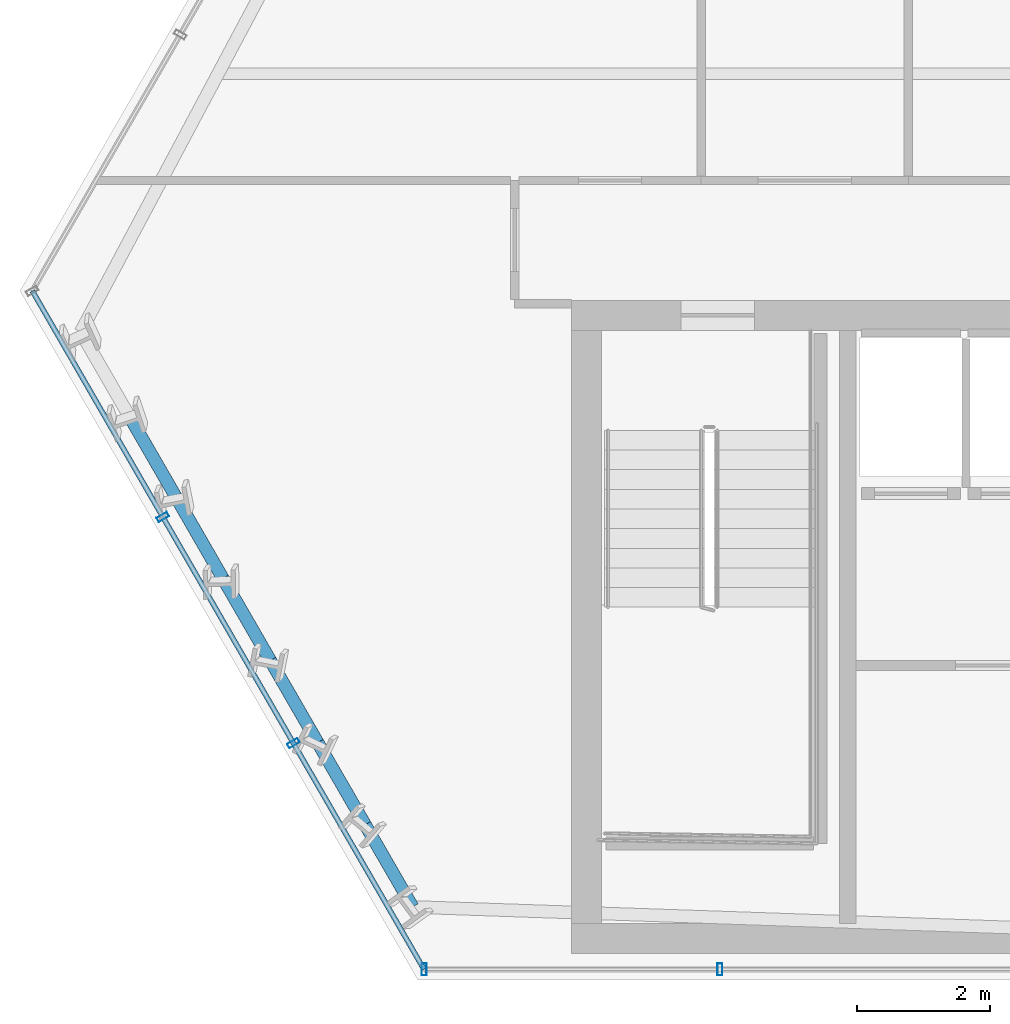
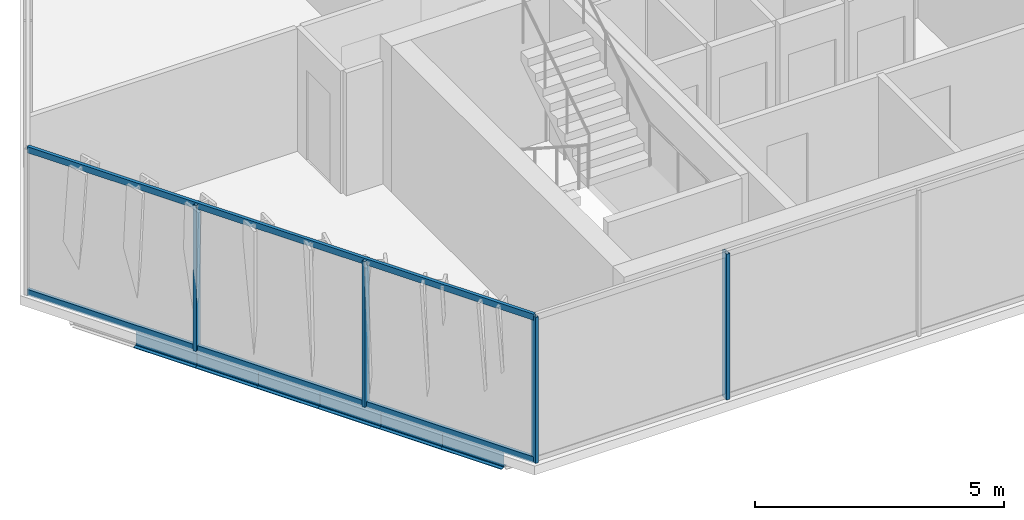
# One storey, part 2 of 31: 6 beams, 6 members, 2 elements without a shape of their own.
"""IFC4 building model written with IfcOpenShell, lengths in metres."""

from ifc_helpers import new_model, si_unit, direction, frame, origin, origin_2d, place, context, subcontext, project, spatial, hollow_rectangle, i_section, extrude, material, layer, layer_set, material_profile, profile_set, type_object, element, aggregate, save


model = new_model("IFC4")

# Units and contexts
model_context = context("Model", 3, precision=1e-05, world=origin(), true_north=direction((0.0, 1.0)))
body_context = subcontext(model_context, "Body", "Model", "MODEL_VIEW")
ifc_project = project(units=[si_unit("LENGTHUNIT", "METRE"), si_unit("AREAUNIT", "SQUARE_METRE"), si_unit("VOLUMEUNIT", "CUBIC_METRE"), si_unit("PLANEANGLEUNIT", "RADIAN"), si_unit("MASSUNIT", "GRAM", prefix="KILO")], contexts=[model_context])

# Site, building, storey
site_placement = place(None, origin())
site = spatial("IfcSite", under=ifc_project, at=site_placement, CompositionType="ELEMENT")
building_placement = place(site_placement, origin())
building = spatial("IfcBuilding", under=site, at=building_placement, Name="Ndaravel Arena Tower", CompositionType="ELEMENT")
storey_placement = place(building_placement, frame((0.0, 0.0, 146.0)))
storey = spatial("IfcBuildingStorey", under=building, at=storey_placement, Name="L34", CompositionType="ELEMENT", Elevation=146.0)

# Beams
ifc_material_1 = material(Name="Steel S355", Category="steel")
ifc_material_profile_1 = material_profile(ifc_material_1, i_section(OverallWidth=0.18994140625, OverallDepth=0.449951171875, WebThickness=0.009521484375, FlangeThickness=0.0146484375, FilletRadius=0.02099609375, at=origin_2d()), Name="IPE 450")
ifc_profile_set_1 = profile_set([ifc_material_profile_1], Name="Steel S355")
beam_type = type_object("IfcBeamType", Name="BM-SPAN-IPE450", PredefinedType="SPANDREL", material=ifc_profile_set_1)
for number, where, z_axis, x_axis, name in (
    (1, (19.797607421875, 13.493896484375, -0.445068359375), (0.500049018998, -0.865997100803, 0.0), (0.865997100803, 0.500049018998, 0.0), "L34 Perimeter Spandrel Beam SP-21"),
    (2, (20.509521484375, 12.260986328125, -0.445068359375), (0.499920397431, -0.866071357471, 0.0), (0.866071357471, 0.499920397431, 0.0), "L34 Perimeter Spandrel Beam SP-22"),
    (3, (21.22119140625, 11.028076171875, -0.445068359375), (0.500049018998, -0.865997100803, 0.0), (0.865997100803, 0.500049018998, 0.0), "L34 Perimeter Spandrel Beam SP-23"),
    (4, (21.93310546875, 9.795166015625, -0.445068359375), (0.500049018998, -0.865997100803, 0.0), (0.865997100803, 0.500049018998, 0.0), "L34 Perimeter Spandrel Beam SP-24"),
    (5, (22.64501953125, 8.562255859375, -0.445068359375), (0.499920397431, -0.866071357471, 0.0), (0.866071357471, 0.499920397431, 0.0), "L34 Perimeter Spandrel Beam SP-25"),
    (6, (23.356689453125, 7.329345703125, -0.445068359375), (0.500049018998, -0.865997100803, 0.0), (0.865997100803, 0.500049018998, 0.0), "L34 Perimeter Spandrel Beam SP-26"),
):
    element("IfcBeam", number, at=place(storey_placement, frame(where, z_axis=z_axis, x_axis=x_axis)), inside=storey, type_object=beam_type, Name=name, PredefinedType="SPANDREL", context=body_context, shape_type="SweptSolid", body=[
        extrude(i_section(OverallWidth=0.18994140625, OverallDepth=0.449951171875, WebThickness=0.009521484375, FlangeThickness=0.0146484375, FilletRadius=0.02099609375, at=origin_2d()), origin(), (0.0, 0.0, 1.0), 1.423583984375),
    ])

# Curtain wall, members
ifc_material_2 = material(Name="Aluminium", Category="aluminium")
ifc_layer_1 = layer(ifc_material_2, 0.179931640625)
ifc_layer_set_1 = layer_set([ifc_layer_1], Name="Aluminium")
curtain_wall_type_1 = type_object("IfcCurtainWallType", Name="CW-SYS-03", PredefinedType="NOTDEFINED", material=ifc_layer_set_1)
curtain_wall_1_placement = place(storey_placement, origin())
curtain_wall_1 = element("IfcCurtainWall", 7, at=curtain_wall_1_placement, inside=storey, type_object=curtain_wall_type_1, Name="L34 Faceted Crystal Curtain Wall CW-L34-E01", PredefinedType="NOTDEFINED")
ifc_material_3 = material(Name="Aluminium", Category="aluminium")
ifc_material_profile_2 = material_profile(ifc_material_3, hollow_rectangle(XDim=0.074951171875, YDim=0.179931640625, WallThickness=0.00390625, at=origin_2d()), Name="CW MULLION 75x180x4")
ifc_profile_set_2 = profile_set([ifc_material_profile_2], Name="Aluminium")
member_type_1 = type_object("IfcMemberType", Name="MEM-CW-MUL180", PredefinedType="MULLION", material=ifc_profile_set_2)
member_1_placement = place(storey_placement, frame((24.23974609375, 5.159912109375, 0.0), z_axis=(0.0, 0.0, 1.0), x_axis=(1.0, 0.0, 0.0)))
member_1 = element("IfcMember", 8, at=member_1_placement, type_object=member_type_1, Name="CW-L34-E01 Mullion 00", PredefinedType="MULLION", context=body_context, shape_type="SweptSolid", body=[
    extrude(hollow_rectangle(XDim=0.074951171875, YDim=0.179931640625, WallThickness=0.00390625, at=origin_2d()), origin(), (0.0, 0.0, 1.0), 3.580078125),
])
member_2_placement = place(storey_placement, frame((28.6796875, 5.159912109375, 0.0), z_axis=(0.0, 0.0, 1.0), x_axis=(1.0, 0.0, 0.0)))
member_2 = element("IfcMember", 9, at=member_2_placement, type_object=member_type_1, Name="CW-L34-E01 Mullion 01", PredefinedType="MULLION", context=body_context, shape_type="SweptSolid", body=[
    extrude(hollow_rectangle(XDim=0.074951171875, YDim=0.179931640625, WallThickness=0.00390625, at=origin_2d()), origin(), (0.0, 0.0, 1.0), 3.580078125),
])
aggregate(curtain_wall_1, [member_1, member_2])

ifc_material_4 = material(Name="Aluminium", Category="aluminium")
ifc_layer_2 = layer(ifc_material_4, 0.179931640625)
ifc_layer_set_2 = layer_set([ifc_layer_2], Name="Aluminium")
curtain_wall_type_2 = type_object("IfcCurtainWallType", Name="CW-SYS-02", PredefinedType="NOTDEFINED", material=ifc_layer_set_2)
curtain_wall_2_placement = place(storey_placement, origin())
curtain_wall_2 = element("IfcCurtainWall", 10, at=curtain_wall_2_placement, inside=storey, type_object=curtain_wall_type_2, Name="L34 Faceted Crystal Curtain Wall CW-L34-E06", PredefinedType="NOTDEFINED")
member_3_placement = place(storey_placement, frame((20.3203125, 11.94873046875, 0.0), z_axis=(0.0, 0.0, 1.0), x_axis=(0.5, -0.866025403784, 0.0)))
member_3 = element("IfcMember", 11, at=member_3_placement, type_object=member_type_1, Name="CW-L34-E06 Mullion 01", PredefinedType="MULLION", context=body_context, shape_type="SweptSolid", body=[
    extrude(hollow_rectangle(XDim=0.074951171875, YDim=0.179931640625, WallThickness=0.00390625, at=origin_2d()), origin(), (0.0, 0.0, 1.0), 3.580078125),
])
member_4_placement = place(storey_placement, frame((22.280029296875, 8.554443359375, 0.0), z_axis=(0.0, 0.0, 1.0), x_axis=(0.5, -0.866025403784, 0.0)))
member_4 = element("IfcMember", 12, at=member_4_placement, type_object=member_type_1, Name="CW-L34-E06 Mullion 02", PredefinedType="MULLION", context=body_context, shape_type="SweptSolid", body=[
    extrude(hollow_rectangle(XDim=0.074951171875, YDim=0.179931640625, WallThickness=0.00390625, at=origin_2d()), origin(), (0.0, 0.0, 1.0), 3.580078125),
])
ifc_material_5 = material(Name="Aluminium", Category="aluminium")
ifc_material_profile_3 = material_profile(ifc_material_5, hollow_rectangle(XDim=0.074951171875, YDim=0.14990234375, WallThickness=0.00390625, at=origin_2d()), Name="CW TRANSOM 75x150x4")
ifc_profile_set_3 = profile_set([ifc_material_profile_3], Name="Aluminium")
member_type_2 = type_object("IfcMemberType", Name="MEM-CW-TRN150", PredefinedType="USERDEFINED", material=ifc_profile_set_3)
member_5_placement = place(storey_placement, frame((18.360595703125, 15.34326171875, 0.0400390625), z_axis=(0.499986653496, -0.866033109255, 0.0), x_axis=(0.866033109255, 0.499986653496, 0.0)))
member_5 = element("IfcMember", 13, at=member_5_placement, type_object=member_type_2, Name="CW-L34-E06 Transom 01", ObjectType="TRANSOM", PredefinedType="USERDEFINED", context=body_context, shape_type="SweptSolid", body=[
    extrude(hollow_rectangle(XDim=0.074951171875, YDim=0.14990234375, WallThickness=0.00390625, at=origin_2d()), origin(), (0.0, 0.0, 1.0), 11.758544921875),
])
member_6_placement = place(storey_placement, frame((18.360595703125, 15.34326171875, 3.5400390625), z_axis=(0.499986653496, -0.866033109255, 0.0), x_axis=(0.866033109255, 0.499986653496, 0.0)))
member_6 = element("IfcMember", 14, at=member_6_placement, type_object=member_type_2, Name="CW-L34-E06 Transom 02", ObjectType="TRANSOM", PredefinedType="USERDEFINED", context=body_context, shape_type="SweptSolid", body=[
    extrude(hollow_rectangle(XDim=0.074951171875, YDim=0.14990234375, WallThickness=0.00390625, at=origin_2d()), origin(), (0.0, 0.0, 1.0), 11.758544921875),
])
aggregate(curtain_wall_2, [member_3, member_4, member_5, member_6])

save(model, "model.ifc")
